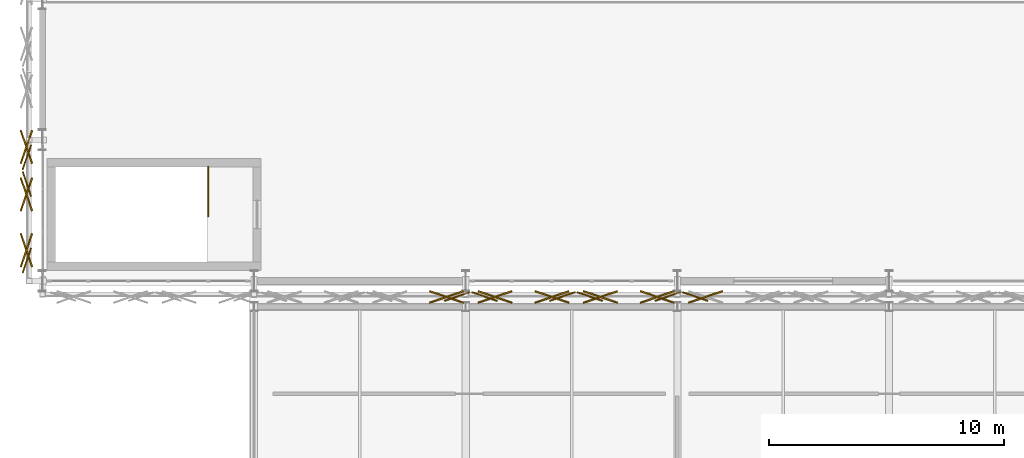
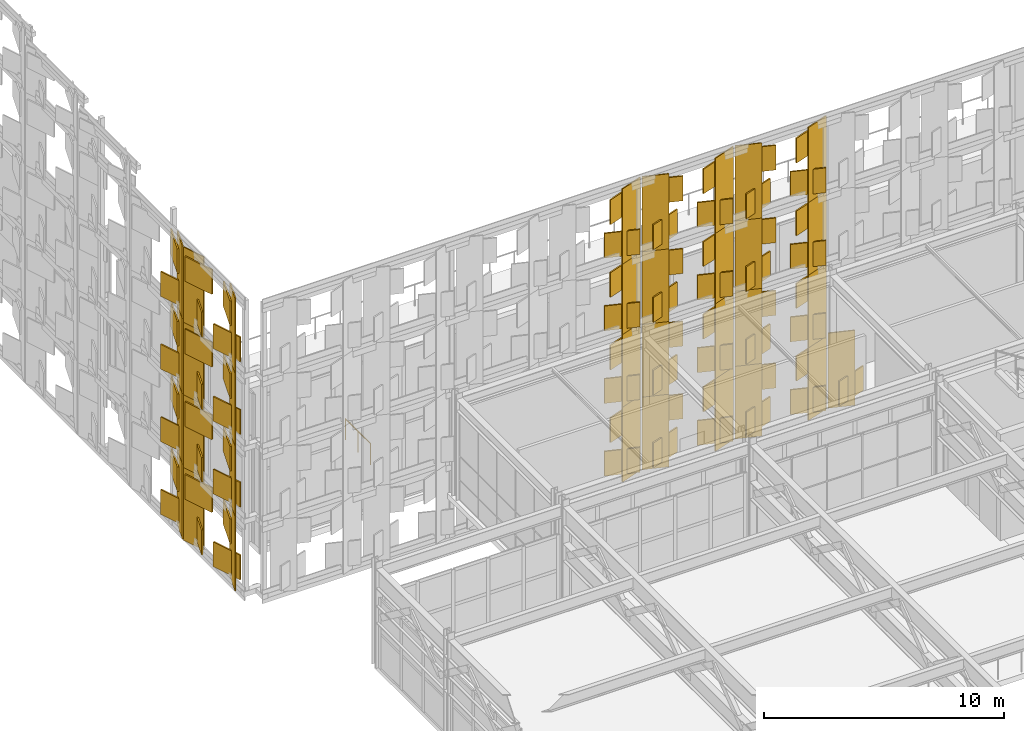
# One storey, part 178 of 210: 98 coverings, 1 railing.
"""IFC4 building model written with IfcOpenShell, lengths in metres."""

from ifc_helpers import new_model, si_unit, direction, frame, origin, origin_2d, place, context, subcontext, project, spatial, rectangle, circle, extrude, material, layer, layer_set, type_object, element, save


model = new_model("IFC4")

# Units and contexts
model_context = context("Model", 3, precision=1e-05, world=origin(), true_north=direction((0.0, 1.0)))
body_context = subcontext(model_context, "Body", "Model", "MODEL_VIEW")
ifc_project = project(units=[si_unit("LENGTHUNIT", "METRE"), si_unit("AREAUNIT", "SQUARE_METRE"), si_unit("VOLUMEUNIT", "CUBIC_METRE"), si_unit("PLANEANGLEUNIT", "RADIAN"), si_unit("MASSUNIT", "GRAM", prefix="KILO")], contexts=[model_context])

# Site, building, storey
site_placement = place(None, origin())
site = spatial("IfcSite", under=ifc_project, at=site_placement, CompositionType="ELEMENT")
building_placement = place(site_placement, origin())
building = spatial("IfcBuilding", under=site, at=building_placement, Name="Kaldris Quays Convention Centre", CompositionType="ELEMENT")
storey_placement = place(building_placement, frame((0.0, 0.0, 6.0)))
storey = spatial("IfcBuildingStorey", under=building, at=storey_placement, Name="L01", CompositionType="ELEMENT", Elevation=6.0)

# Railing
ifc_material_1 = material(Name="Steel S355J2", Category="steel")
railing_type = type_object("IfcRailingType", Name="INTERIOR GUARDRAIL GR01", PredefinedType="GUARDRAIL", material=ifc_material_1)
railing_placement = place(storey_placement, frame((27.050048828125, 60.85009765625, 0.0)))
element("IfcRailing", 1, at=railing_placement, inside=storey, type_object=railing_type, Name="L01 ST01 Top Well Guardrail 1", PredefinedType="GUARDRAIL", context=body_context, shape_type="SweptSolid", body=[
    extrude(circle(Radius=0.02392578125, at=origin_2d()), frame((0.0, 0.0, 1.076171875), z_axis=(0.0, -1.0, 0.0), x_axis=(1.0, 0.0, 0.0)), (0.0, 0.0, 1.0), 2.10009765625),
    extrude(circle(Radius=0.02099609375, at=origin_2d()), origin(), (0.0, 0.0, 1.0), 1.052001953125),
    extrude(circle(Radius=0.02099609375, at=origin_2d()), frame((0.0, -1.050048828125, 0.0)), (0.0, 0.0, 1.0), 1.052001953125),
    extrude(circle(Radius=0.02099609375, at=origin_2d()), frame((0.0, -2.10009765625, 0.0)), (0.0, 0.0, 1.0), 1.052001953125),
])

# Coverings
ifc_material_2 = material(Name="Alabaster white star-pierced anodized aluminium panel", Category="aluminium")
ifc_layer = layer(ifc_material_2, 0.044921875)
ifc_layer_set = layer_set([ifc_layer], Name="Alabaster white star-pierced anodized aluminium panel")
covering_type = type_object("IfcCoveringType", Name="STAR PIERCED WHITE FOLDED SCREEN CL01", PredefinedType="CLADDING", material=ifc_layer_set)
for number, where, z_axis, x_axis, name in (
    (2, (19.340087890625, 56.87060546875, -2.2099609375), (0.0, 0.0, 1.0), (0.325568154457, 0.945518575599, 0.0), "V1W Folded White Screen Stile 6"),
    (3, (19.340087890625, 60.118896484375, -2.2099609375), (0.0, 0.0, 1.0), (-0.325568154457, 0.945518575599, 0.0), "V1W Folded White Screen Stile 7"),
):
    element("IfcCovering", number, at=place(storey_placement, frame(where, z_axis=z_axis, x_axis=x_axis)), inside=storey, type_object=covering_type, Name=name, PredefinedType="CLADDING", context=body_context, shape_type="SweptSolid", body=[
        extrude(rectangle(XDim=1.114013671875, YDim=0.054931640625, at=origin_2d()), origin(), (0.0, 0.0, 1.0), 3.820068359375),
    ])
for number, where, z_axis, x_axis, name in (
    (4, (19.320068359375, 57.3095703125, -1.92822265625), (0.0, 0.0, 1.0), (-0.325568154457, 0.945518575599, 0.0), "V1W Carved Star Corner Facet 8"),
    (5, (19.320068359375, 57.3095703125, 0.06982421875), (0.0, 0.0, 1.0), (0.325568154457, 0.945518575599, 0.0), "V1W Carved Star Corner Facet 9"),
    (6, (19.320068359375, 59.679931640625, -1.92822265625), (0.0, 0.0, 1.0), (0.325568154457, 0.945518575599, 0.0), "V1W Carved Star Corner Facet 10"),
    (7, (19.320068359375, 59.679931640625, 0.06982421875), (0.0, 0.0, 1.0), (-0.325568154457, 0.945518575599, 0.0), "V1W Carved Star Corner Facet 11"),
):
    element("IfcCovering", number, at=place(storey_placement, frame(where, z_axis=z_axis, x_axis=x_axis)), inside=storey, type_object=covering_type, Name=name, PredefinedType="CLADDING", context=body_context, shape_type="SweptSolid", body=[
        extrude(rectangle(XDim=1.491943359375, YDim=0.06494140625, at=origin_2d()), origin(), (0.0, 0.0, 1.0), 1.258056640625),
    ])
for number, where, z_axis, x_axis, name in (
    (8, (19.340087890625, 56.87060546875, 1.48974609375), (0.0, 0.0, 1.0), (0.325568154457, 0.945518575599, 0.0), "V1W Folded White Screen Stile 12"),
    (9, (19.340087890625, 60.118896484375, 1.48974609375), (0.0, 0.0, 1.0), (-0.325568154457, 0.945518575599, 0.0), "V1W Folded White Screen Stile 13"),
):
    element("IfcCovering", number, at=place(storey_placement, frame(where, z_axis=z_axis, x_axis=x_axis)), inside=storey, type_object=covering_type, Name=name, PredefinedType="CLADDING", context=body_context, shape_type="SweptSolid", body=[
        extrude(rectangle(XDim=1.114013671875, YDim=0.054931640625, at=origin_2d()), origin(), (0.0, 0.0, 1.0), 3.820068359375),
    ])
for number, where, z_axis, x_axis, name in (
    (10, (19.320068359375, 57.3095703125, 1.77197265625), (0.0, 0.0, 1.0), (-0.325568154457, 0.945518575599, 0.0), "V1W Carved Star Corner Facet 14"),
    (11, (19.320068359375, 57.3095703125, 3.77001953125), (0.0, 0.0, 1.0), (0.325568154457, 0.945518575599, 0.0), "V1W Carved Star Corner Facet 15"),
    (12, (19.320068359375, 59.679931640625, 1.77197265625), (0.0, 0.0, 1.0), (0.325568154457, 0.945518575599, 0.0), "V1W Carved Star Corner Facet 16"),
    (13, (19.320068359375, 59.679931640625, 3.77001953125), (0.0, 0.0, 1.0), (-0.325568154457, 0.945518575599, 0.0), "V1W Carved Star Corner Facet 17"),
):
    element("IfcCovering", number, at=place(storey_placement, frame(where, z_axis=z_axis, x_axis=x_axis)), inside=storey, type_object=covering_type, Name=name, PredefinedType="CLADDING", context=body_context, shape_type="SweptSolid", body=[
        extrude(rectangle(XDim=1.491943359375, YDim=0.06494140625, at=origin_2d()), origin(), (0.0, 0.0, 1.0), 1.258056640625),
    ])
for number, where, z_axis, x_axis, name in (
    (14, (19.340087890625, 56.87060546875, 5.18994140625), (0.0, 0.0, 1.0), (0.325568154457, 0.945518575599, 0.0), "V1W Folded White Screen Stile 18"),
    (15, (19.340087890625, 60.118896484375, 5.18994140625), (0.0, 0.0, 1.0), (-0.325568154457, 0.945518575599, 0.0), "V1W Folded White Screen Stile 19"),
):
    element("IfcCovering", number, at=place(storey_placement, frame(where, z_axis=z_axis, x_axis=x_axis)), inside=storey, type_object=covering_type, Name=name, PredefinedType="CLADDING", context=body_context, shape_type="SweptSolid", body=[
        extrude(rectangle(XDim=1.114013671875, YDim=0.054931640625, at=origin_2d()), origin(), (0.0, 0.0, 1.0), 3.820068359375),
    ])
for number, where, z_axis, x_axis, name in (
    (16, (19.320068359375, 57.3095703125, 5.47216796875), (0.0, 0.0, 1.0), (-0.325568154457, 0.945518575599, 0.0), "V1W Carved Star Corner Facet 20"),
    (17, (19.320068359375, 57.3095703125, 7.47021484375), (0.0, 0.0, 1.0), (0.325568154457, 0.945518575599, 0.0), "V1W Carved Star Corner Facet 21"),
    (18, (19.320068359375, 59.679931640625, 5.47216796875), (0.0, 0.0, 1.0), (0.325568154457, 0.945518575599, 0.0), "V1W Carved Star Corner Facet 22"),
    (19, (19.320068359375, 59.679931640625, 7.47021484375), (0.0, 0.0, 1.0), (-0.325568154457, 0.945518575599, 0.0), "V1W Carved Star Corner Facet 23"),
):
    element("IfcCovering", number, at=place(storey_placement, frame(where, z_axis=z_axis, x_axis=x_axis)), inside=storey, type_object=covering_type, Name=name, PredefinedType="CLADDING", context=body_context, shape_type="SweptSolid", body=[
        extrude(rectangle(XDim=1.491943359375, YDim=0.06494140625, at=origin_2d()), origin(), (0.0, 0.0, 1.0), 1.258056640625),
    ])
for number, where, z_axis, x_axis, name in (
    (20, (19.340087890625, 56.87060546875, 8.89013671875), (0.0, 0.0, 1.0), (0.325568154457, 0.945518575599, 0.0), "V1W Folded White Screen Stile 24"),
    (21, (19.340087890625, 60.118896484375, 8.89013671875), (0.0, 0.0, 1.0), (-0.325568154457, 0.945518575599, 0.0), "V1W Folded White Screen Stile 25"),
):
    element("IfcCovering", number, at=place(storey_placement, frame(where, z_axis=z_axis, x_axis=x_axis)), inside=storey, type_object=covering_type, Name=name, PredefinedType="CLADDING", context=body_context, shape_type="SweptSolid", body=[
        extrude(rectangle(XDim=1.114013671875, YDim=0.054931640625, at=origin_2d()), origin(), (0.0, 0.0, 1.0), 3.820068359375),
    ])
for number, where, z_axis, x_axis, name in (
    (22, (19.320068359375, 57.3095703125, 9.171875), (0.0, 0.0, 1.0), (-0.325568154457, 0.945518575599, 0.0), "V1W Carved Star Corner Facet 26"),
    (23, (19.320068359375, 57.3095703125, 11.169921875), (0.0, 0.0, 1.0), (0.325568154457, 0.945518575599, 0.0), "V1W Carved Star Corner Facet 27"),
    (24, (19.320068359375, 59.679931640625, 9.171875), (0.0, 0.0, 1.0), (0.325568154457, 0.945518575599, 0.0), "V1W Carved Star Corner Facet 28"),
    (25, (19.320068359375, 59.679931640625, 11.169921875), (0.0, 0.0, 1.0), (-0.325568154457, 0.945518575599, 0.0), "V1W Carved Star Corner Facet 29"),
):
    element("IfcCovering", number, at=place(storey_placement, frame(where, z_axis=z_axis, x_axis=x_axis)), inside=storey, type_object=covering_type, Name=name, PredefinedType="CLADDING", context=body_context, shape_type="SweptSolid", body=[
        extrude(rectangle(XDim=1.491943359375, YDim=0.06494140625, at=origin_2d()), origin(), (0.0, 0.0, 1.0), 1.258056640625),
    ])
covering_1_placement = place(storey_placement, frame((19.340087890625, 61.260009765625, -2.2099609375), z_axis=(0.0, 0.0, 1.0), x_axis=(0.325568154457, 0.945518575599, 0.0)))
element("IfcCovering", 26, at=covering_1_placement, inside=storey, type_object=covering_type, Name="V1W Folded White Screen Stile 30", PredefinedType="CLADDING", context=body_context, shape_type="SweptSolid", body=[
    extrude(rectangle(XDim=1.114013671875, YDim=0.054931640625, at=origin_2d()), origin(), (0.0, 0.0, 1.0), 3.820068359375),
])
for number, where, z_axis, x_axis, name in (
    (27, (19.320068359375, 61.69921875, -1.92822265625), (0.0, 0.0, 1.0), (-0.325568154457, 0.945518575599, 0.0), "V1W Carved Star Corner Facet 32"),
    (28, (19.320068359375, 61.69921875, 0.06982421875), (0.0, 0.0, 1.0), (0.325568154457, 0.945518575599, 0.0), "V1W Carved Star Corner Facet 33"),
):
    element("IfcCovering", number, at=place(storey_placement, frame(where, z_axis=z_axis, x_axis=x_axis)), inside=storey, type_object=covering_type, Name=name, PredefinedType="CLADDING", context=body_context, shape_type="SweptSolid", body=[
        extrude(rectangle(XDim=1.491943359375, YDim=0.06494140625, at=origin_2d()), origin(), (0.0, 0.0, 1.0), 1.258056640625),
    ])
covering_2_placement = place(storey_placement, frame((19.340087890625, 61.260009765625, 1.48974609375), z_axis=(0.0, 0.0, 1.0), x_axis=(0.325568154457, 0.945518575599, 0.0)))
element("IfcCovering", 29, at=covering_2_placement, inside=storey, type_object=covering_type, Name="V1W Folded White Screen Stile 36", PredefinedType="CLADDING", context=body_context, shape_type="SweptSolid", body=[
    extrude(rectangle(XDim=1.114013671875, YDim=0.054931640625, at=origin_2d()), origin(), (0.0, 0.0, 1.0), 3.820068359375),
])
for number, where, z_axis, x_axis, name in (
    (30, (19.320068359375, 61.69921875, 1.77197265625), (0.0, 0.0, 1.0), (-0.325568154457, 0.945518575599, 0.0), "V1W Carved Star Corner Facet 38"),
    (31, (19.320068359375, 61.69921875, 3.77001953125), (0.0, 0.0, 1.0), (0.325568154457, 0.945518575599, 0.0), "V1W Carved Star Corner Facet 39"),
):
    element("IfcCovering", number, at=place(storey_placement, frame(where, z_axis=z_axis, x_axis=x_axis)), inside=storey, type_object=covering_type, Name=name, PredefinedType="CLADDING", context=body_context, shape_type="SweptSolid", body=[
        extrude(rectangle(XDim=1.491943359375, YDim=0.06494140625, at=origin_2d()), origin(), (0.0, 0.0, 1.0), 1.258056640625),
    ])
covering_3_placement = place(storey_placement, frame((19.340087890625, 61.260009765625, 5.18994140625), z_axis=(0.0, 0.0, 1.0), x_axis=(0.325568154457, 0.945518575599, 0.0)))
element("IfcCovering", 32, at=covering_3_placement, inside=storey, type_object=covering_type, Name="V1W Folded White Screen Stile 42", PredefinedType="CLADDING", context=body_context, shape_type="SweptSolid", body=[
    extrude(rectangle(XDim=1.114013671875, YDim=0.054931640625, at=origin_2d()), origin(), (0.0, 0.0, 1.0), 3.820068359375),
])
for number, where, z_axis, x_axis, name in (
    (33, (19.320068359375, 61.69921875, 5.47216796875), (0.0, 0.0, 1.0), (-0.325568154457, 0.945518575599, 0.0), "V1W Carved Star Corner Facet 44"),
    (34, (19.320068359375, 61.69921875, 7.47021484375), (0.0, 0.0, 1.0), (0.325568154457, 0.945518575599, 0.0), "V1W Carved Star Corner Facet 45"),
):
    element("IfcCovering", number, at=place(storey_placement, frame(where, z_axis=z_axis, x_axis=x_axis)), inside=storey, type_object=covering_type, Name=name, PredefinedType="CLADDING", context=body_context, shape_type="SweptSolid", body=[
        extrude(rectangle(XDim=1.491943359375, YDim=0.06494140625, at=origin_2d()), origin(), (0.0, 0.0, 1.0), 1.258056640625),
    ])
covering_4_placement = place(storey_placement, frame((19.340087890625, 61.260009765625, 8.89013671875), z_axis=(0.0, 0.0, 1.0), x_axis=(0.325568154457, 0.945518575599, 0.0)))
element("IfcCovering", 35, at=covering_4_placement, inside=storey, type_object=covering_type, Name="V1W Folded White Screen Stile 48", PredefinedType="CLADDING", context=body_context, shape_type="SweptSolid", body=[
    extrude(rectangle(XDim=1.114013671875, YDim=0.054931640625, at=origin_2d()), origin(), (0.0, 0.0, 1.0), 3.820068359375),
])
for number, where, z_axis, x_axis, name in (
    (36, (19.320068359375, 61.69921875, 9.171875), (0.0, 0.0, 1.0), (-0.325568154457, 0.945518575599, 0.0), "V1W Carved Star Corner Facet 50"),
    (37, (19.320068359375, 61.69921875, 11.169921875), (0.0, 0.0, 1.0), (0.325568154457, 0.945518575599, 0.0), "V1W Carved Star Corner Facet 51"),
):
    element("IfcCovering", number, at=place(storey_placement, frame(where, z_axis=z_axis, x_axis=x_axis)), inside=storey, type_object=covering_type, Name=name, PredefinedType="CLADDING", context=body_context, shape_type="SweptSolid", body=[
        extrude(rectangle(XDim=1.491943359375, YDim=0.06494140625, at=origin_2d()), origin(), (0.0, 0.0, 1.0), 1.258056640625),
    ])
covering_5_placement = place(storey_placement, frame((37.632080078125, 55.340087890625, -2.2099609375), z_axis=(0.0, 0.0, 1.0), x_axis=(0.945518575599, 0.325568154457, 0.0)))
element("IfcCovering", 38, at=covering_5_placement, inside=storey, type_object=covering_type, Name="V1S Folded White Screen Stile 1153", PredefinedType="CLADDING", context=body_context, shape_type="SweptSolid", body=[
    extrude(rectangle(XDim=1.136962890625, YDim=0.054931640625, at=origin_2d()), origin(), (0.0, 0.0, 1.0), 3.820068359375),
])
for number, where, z_axis, x_axis, name in (
    (39, (37.18408203125, 55.320068359375, -1.92822265625), (0.0, 0.0, 1.0), (0.945518575599, -0.325568154457, 0.0), "V1S Carved Star Corner Facet 1156"),
    (40, (37.18408203125, 55.320068359375, 0.06982421875), (0.0, 0.0, 1.0), (0.945518575599, 0.325568154457, 0.0), "V1S Carved Star Corner Facet 1157"),
):
    element("IfcCovering", number, at=place(storey_placement, frame(where, z_axis=z_axis, x_axis=x_axis)), inside=storey, type_object=covering_type, Name=name, PredefinedType="CLADDING", context=body_context, shape_type="SweptSolid", body=[
        extrude(rectangle(XDim=1.52294921875, YDim=0.06494140625, at=origin_2d()), origin(), (0.0, 0.0, 1.0), 1.258056640625),
    ])
covering_6_placement = place(storey_placement, frame((37.632080078125, 55.340087890625, 1.48974609375), z_axis=(0.0, 0.0, 1.0), x_axis=(0.945518575599, 0.325568154457, 0.0)))
element("IfcCovering", 41, at=covering_6_placement, inside=storey, type_object=covering_type, Name="V1S Folded White Screen Stile 1159", PredefinedType="CLADDING", context=body_context, shape_type="SweptSolid", body=[
    extrude(rectangle(XDim=1.136962890625, YDim=0.054931640625, at=origin_2d()), origin(), (0.0, 0.0, 1.0), 3.820068359375),
])
for number, where, z_axis, x_axis, name in (
    (42, (37.18408203125, 55.320068359375, 1.77197265625), (0.0, 0.0, 1.0), (0.945518575599, -0.325568154457, 0.0), "V1S Carved Star Corner Facet 1162"),
    (43, (37.18408203125, 55.320068359375, 3.77001953125), (0.0, 0.0, 1.0), (0.945518575599, 0.325568154457, 0.0), "V1S Carved Star Corner Facet 1163"),
):
    element("IfcCovering", number, at=place(storey_placement, frame(where, z_axis=z_axis, x_axis=x_axis)), inside=storey, type_object=covering_type, Name=name, PredefinedType="CLADDING", context=body_context, shape_type="SweptSolid", body=[
        extrude(rectangle(XDim=1.52294921875, YDim=0.06494140625, at=origin_2d()), origin(), (0.0, 0.0, 1.0), 1.258056640625),
    ])
covering_7_placement = place(storey_placement, frame((37.632080078125, 55.340087890625, 5.18994140625), z_axis=(0.0, 0.0, 1.0), x_axis=(0.945518575599, 0.325568154457, 0.0)))
element("IfcCovering", 44, at=covering_7_placement, inside=storey, type_object=covering_type, Name="V1S Folded White Screen Stile 1165", PredefinedType="CLADDING", context=body_context, shape_type="SweptSolid", body=[
    extrude(rectangle(XDim=1.136962890625, YDim=0.054931640625, at=origin_2d()), origin(), (0.0, 0.0, 1.0), 3.820068359375),
])
for number, where, z_axis, x_axis, name in (
    (45, (37.18408203125, 55.320068359375, 5.47216796875), (0.0, 0.0, 1.0), (0.945518575599, -0.325568154457, 0.0), "V1S Carved Star Corner Facet 1168"),
    (46, (37.18408203125, 55.320068359375, 7.47021484375), (0.0, 0.0, 1.0), (0.945518575599, 0.325568154457, 0.0), "V1S Carved Star Corner Facet 1169"),
):
    element("IfcCovering", number, at=place(storey_placement, frame(where, z_axis=z_axis, x_axis=x_axis)), inside=storey, type_object=covering_type, Name=name, PredefinedType="CLADDING", context=body_context, shape_type="SweptSolid", body=[
        extrude(rectangle(XDim=1.52294921875, YDim=0.06494140625, at=origin_2d()), origin(), (0.0, 0.0, 1.0), 1.258056640625),
    ])
covering_8_placement = place(storey_placement, frame((37.632080078125, 55.340087890625, 8.89013671875), z_axis=(0.0, 0.0, 1.0), x_axis=(0.945518575599, 0.325568154457, 0.0)))
element("IfcCovering", 47, at=covering_8_placement, inside=storey, type_object=covering_type, Name="V1S Folded White Screen Stile 1171", PredefinedType="CLADDING", context=body_context, shape_type="SweptSolid", body=[
    extrude(rectangle(XDim=1.136962890625, YDim=0.054931640625, at=origin_2d()), origin(), (0.0, 0.0, 1.0), 3.820068359375),
])
for number, where, z_axis, x_axis, name in (
    (48, (37.18408203125, 55.320068359375, 9.171875), (0.0, 0.0, 1.0), (0.945518575599, -0.325568154457, 0.0), "V1S Carved Star Corner Facet 1174"),
    (49, (37.18408203125, 55.320068359375, 11.169921875), (0.0, 0.0, 1.0), (0.945518575599, 0.325568154457, 0.0), "V1S Carved Star Corner Facet 1175"),
):
    element("IfcCovering", number, at=place(storey_placement, frame(where, z_axis=z_axis, x_axis=x_axis)), inside=storey, type_object=covering_type, Name=name, PredefinedType="CLADDING", context=body_context, shape_type="SweptSolid", body=[
        extrude(rectangle(XDim=1.52294921875, YDim=0.06494140625, at=origin_2d()), origin(), (0.0, 0.0, 1.0), 1.258056640625),
    ])
for number, where, z_axis, x_axis, name in (
    (50, (38.79638671875, 55.340087890625, -2.2099609375), (0.0, 0.0, 1.0), (0.945518575599, -0.325568154457, 0.0), "V1S Folded White Screen Stile 1176"),
    (51, (42.110595703125, 55.340087890625, -2.2099609375), (0.0, 0.0, 1.0), (0.945518575599, 0.325568154457, 0.0), "V1S Folded White Screen Stile 1177"),
):
    element("IfcCovering", number, at=place(storey_placement, frame(where, z_axis=z_axis, x_axis=x_axis)), inside=storey, type_object=covering_type, Name=name, PredefinedType="CLADDING", context=body_context, shape_type="SweptSolid", body=[
        extrude(rectangle(XDim=1.136962890625, YDim=0.054931640625, at=origin_2d()), origin(), (0.0, 0.0, 1.0), 3.820068359375),
    ])
for number, where, z_axis, x_axis, name in (
    (52, (39.244384765625, 55.320068359375, -1.92822265625), (0.0, 0.0, 1.0), (0.945518575599, 0.325568154457, 0.0), "V1S Carved Star Corner Facet 1178"),
    (53, (39.244384765625, 55.320068359375, 0.06982421875), (0.0, 0.0, 1.0), (0.945518575599, -0.325568154457, 0.0), "V1S Carved Star Corner Facet 1179"),
    (54, (41.662841796875, 55.320068359375, -1.92822265625), (0.0, 0.0, 1.0), (0.945518575599, -0.325568154457, 0.0), "V1S Carved Star Corner Facet 1180"),
    (55, (41.662841796875, 55.320068359375, 0.06982421875), (0.0, 0.0, 1.0), (0.945518575599, 0.325568154457, 0.0), "V1S Carved Star Corner Facet 1181"),
):
    element("IfcCovering", number, at=place(storey_placement, frame(where, z_axis=z_axis, x_axis=x_axis)), inside=storey, type_object=covering_type, Name=name, PredefinedType="CLADDING", context=body_context, shape_type="SweptSolid", body=[
        extrude(rectangle(XDim=1.52294921875, YDim=0.06494140625, at=origin_2d()), origin(), (0.0, 0.0, 1.0), 1.258056640625),
    ])
for number, where, z_axis, x_axis, name in (
    (56, (38.79638671875, 55.340087890625, 1.48974609375), (0.0, 0.0, 1.0), (0.945518575599, -0.325568154457, 0.0), "V1S Folded White Screen Stile 1182"),
    (57, (42.110595703125, 55.340087890625, 1.48974609375), (0.0, 0.0, 1.0), (0.945518575599, 0.325568154457, 0.0), "V1S Folded White Screen Stile 1183"),
):
    element("IfcCovering", number, at=place(storey_placement, frame(where, z_axis=z_axis, x_axis=x_axis)), inside=storey, type_object=covering_type, Name=name, PredefinedType="CLADDING", context=body_context, shape_type="SweptSolid", body=[
        extrude(rectangle(XDim=1.136962890625, YDim=0.054931640625, at=origin_2d()), origin(), (0.0, 0.0, 1.0), 3.820068359375),
    ])
for number, where, z_axis, x_axis, name in (
    (58, (39.244384765625, 55.320068359375, 1.77197265625), (0.0, 0.0, 1.0), (0.945518575599, 0.325568154457, 0.0), "V1S Carved Star Corner Facet 1184"),
    (59, (39.244384765625, 55.320068359375, 3.77001953125), (0.0, 0.0, 1.0), (0.945518575599, -0.325568154457, 0.0), "V1S Carved Star Corner Facet 1185"),
    (60, (41.662841796875, 55.320068359375, 1.77197265625), (0.0, 0.0, 1.0), (0.945518575599, -0.325568154457, 0.0), "V1S Carved Star Corner Facet 1186"),
    (61, (41.662841796875, 55.320068359375, 3.77001953125), (0.0, 0.0, 1.0), (0.945518575599, 0.325568154457, 0.0), "V1S Carved Star Corner Facet 1187"),
):
    element("IfcCovering", number, at=place(storey_placement, frame(where, z_axis=z_axis, x_axis=x_axis)), inside=storey, type_object=covering_type, Name=name, PredefinedType="CLADDING", context=body_context, shape_type="SweptSolid", body=[
        extrude(rectangle(XDim=1.52294921875, YDim=0.06494140625, at=origin_2d()), origin(), (0.0, 0.0, 1.0), 1.258056640625),
    ])
for number, where, z_axis, x_axis, name in (
    (62, (38.79638671875, 55.340087890625, 5.18994140625), (0.0, 0.0, 1.0), (0.945518575599, -0.325568154457, 0.0), "V1S Folded White Screen Stile 1188"),
    (63, (42.110595703125, 55.340087890625, 5.18994140625), (0.0, 0.0, 1.0), (0.945518575599, 0.325568154457, 0.0), "V1S Folded White Screen Stile 1189"),
):
    element("IfcCovering", number, at=place(storey_placement, frame(where, z_axis=z_axis, x_axis=x_axis)), inside=storey, type_object=covering_type, Name=name, PredefinedType="CLADDING", context=body_context, shape_type="SweptSolid", body=[
        extrude(rectangle(XDim=1.136962890625, YDim=0.054931640625, at=origin_2d()), origin(), (0.0, 0.0, 1.0), 3.820068359375),
    ])
for number, where, z_axis, x_axis, name in (
    (64, (39.244384765625, 55.320068359375, 5.47216796875), (0.0, 0.0, 1.0), (0.945518575599, 0.325568154457, 0.0), "V1S Carved Star Corner Facet 1190"),
    (65, (39.244384765625, 55.320068359375, 7.47021484375), (0.0, 0.0, 1.0), (0.945518575599, -0.325568154457, 0.0), "V1S Carved Star Corner Facet 1191"),
    (66, (41.662841796875, 55.320068359375, 5.47216796875), (0.0, 0.0, 1.0), (0.945518575599, -0.325568154457, 0.0), "V1S Carved Star Corner Facet 1192"),
    (67, (41.662841796875, 55.320068359375, 7.47021484375), (0.0, 0.0, 1.0), (0.945518575599, 0.325568154457, 0.0), "V1S Carved Star Corner Facet 1193"),
):
    element("IfcCovering", number, at=place(storey_placement, frame(where, z_axis=z_axis, x_axis=x_axis)), inside=storey, type_object=covering_type, Name=name, PredefinedType="CLADDING", context=body_context, shape_type="SweptSolid", body=[
        extrude(rectangle(XDim=1.52294921875, YDim=0.06494140625, at=origin_2d()), origin(), (0.0, 0.0, 1.0), 1.258056640625),
    ])
for number, where, z_axis, x_axis, name in (
    (68, (38.79638671875, 55.340087890625, 8.89013671875), (0.0, 0.0, 1.0), (0.945518575599, -0.325568154457, 0.0), "V1S Folded White Screen Stile 1194"),
    (69, (42.110595703125, 55.340087890625, 8.89013671875), (0.0, 0.0, 1.0), (0.945518575599, 0.325568154457, 0.0), "V1S Folded White Screen Stile 1195"),
):
    element("IfcCovering", number, at=place(storey_placement, frame(where, z_axis=z_axis, x_axis=x_axis)), inside=storey, type_object=covering_type, Name=name, PredefinedType="CLADDING", context=body_context, shape_type="SweptSolid", body=[
        extrude(rectangle(XDim=1.136962890625, YDim=0.054931640625, at=origin_2d()), origin(), (0.0, 0.0, 1.0), 3.820068359375),
    ])
for number, where, z_axis, x_axis, name in (
    (70, (39.244384765625, 55.320068359375, 9.171875), (0.0, 0.0, 1.0), (0.945518575599, 0.325568154457, 0.0), "V1S Carved Star Corner Facet 1196"),
    (71, (39.244384765625, 55.320068359375, 11.169921875), (0.0, 0.0, 1.0), (0.945518575599, -0.325568154457, 0.0), "V1S Carved Star Corner Facet 1197"),
    (72, (41.662841796875, 55.320068359375, 9.171875), (0.0, 0.0, 1.0), (0.945518575599, -0.325568154457, 0.0), "V1S Carved Star Corner Facet 1198"),
    (73, (41.662841796875, 55.320068359375, 11.169921875), (0.0, 0.0, 1.0), (0.945518575599, 0.325568154457, 0.0), "V1S Carved Star Corner Facet 1199"),
):
    element("IfcCovering", number, at=place(storey_placement, frame(where, z_axis=z_axis, x_axis=x_axis)), inside=storey, type_object=covering_type, Name=name, PredefinedType="CLADDING", context=body_context, shape_type="SweptSolid", body=[
        extrude(rectangle(XDim=1.52294921875, YDim=0.06494140625, at=origin_2d()), origin(), (0.0, 0.0, 1.0), 1.258056640625),
    ])
for number, where, z_axis, x_axis, name in (
    (74, (43.275146484375, 55.340087890625, -2.2099609375), (0.0, 0.0, 1.0), (0.945518575599, -0.325568154457, 0.0), "V1S Folded White Screen Stile 1200"),
    (75, (46.589111328125, 55.340087890625, -2.2099609375), (0.0, 0.0, 1.0), (0.945518575599, 0.325568154457, 0.0), "V1S Folded White Screen Stile 1201"),
):
    element("IfcCovering", number, at=place(storey_placement, frame(where, z_axis=z_axis, x_axis=x_axis)), inside=storey, type_object=covering_type, Name=name, PredefinedType="CLADDING", context=body_context, shape_type="SweptSolid", body=[
        extrude(rectangle(XDim=1.136962890625, YDim=0.054931640625, at=origin_2d()), origin(), (0.0, 0.0, 1.0), 3.820068359375),
    ])
for number, where, z_axis, x_axis, name in (
    (76, (43.722900390625, 55.320068359375, -1.92822265625), (0.0, 0.0, 1.0), (0.945518575599, 0.325568154457, 0.0), "V1S Carved Star Corner Facet 1202"),
    (77, (43.722900390625, 55.320068359375, 0.06982421875), (0.0, 0.0, 1.0), (0.945518575599, -0.325568154457, 0.0), "V1S Carved Star Corner Facet 1203"),
    (78, (46.141357421875, 55.320068359375, -1.92822265625), (0.0, 0.0, 1.0), (0.945518575599, -0.325568154457, 0.0), "V1S Carved Star Corner Facet 1204"),
    (79, (46.141357421875, 55.320068359375, 0.06982421875), (0.0, 0.0, 1.0), (0.945518575599, 0.325568154457, 0.0), "V1S Carved Star Corner Facet 1205"),
):
    element("IfcCovering", number, at=place(storey_placement, frame(where, z_axis=z_axis, x_axis=x_axis)), inside=storey, type_object=covering_type, Name=name, PredefinedType="CLADDING", context=body_context, shape_type="SweptSolid", body=[
        extrude(rectangle(XDim=1.52294921875, YDim=0.06494140625, at=origin_2d()), origin(), (0.0, 0.0, 1.0), 1.258056640625),
    ])
for number, where, z_axis, x_axis, name in (
    (80, (43.275146484375, 55.340087890625, 1.48974609375), (0.0, 0.0, 1.0), (0.945518575599, -0.325568154457, 0.0), "V1S Folded White Screen Stile 1206"),
    (81, (46.589111328125, 55.340087890625, 1.48974609375), (0.0, 0.0, 1.0), (0.945518575599, 0.325568154457, 0.0), "V1S Folded White Screen Stile 1207"),
):
    element("IfcCovering", number, at=place(storey_placement, frame(where, z_axis=z_axis, x_axis=x_axis)), inside=storey, type_object=covering_type, Name=name, PredefinedType="CLADDING", context=body_context, shape_type="SweptSolid", body=[
        extrude(rectangle(XDim=1.136962890625, YDim=0.054931640625, at=origin_2d()), origin(), (0.0, 0.0, 1.0), 3.820068359375),
    ])
for number, where, z_axis, x_axis, name in (
    (82, (43.722900390625, 55.320068359375, 1.77197265625), (0.0, 0.0, 1.0), (0.945518575599, 0.325568154457, 0.0), "V1S Carved Star Corner Facet 1208"),
    (83, (43.722900390625, 55.320068359375, 3.77001953125), (0.0, 0.0, 1.0), (0.945518575599, -0.325568154457, 0.0), "V1S Carved Star Corner Facet 1209"),
    (84, (46.141357421875, 55.320068359375, 1.77197265625), (0.0, 0.0, 1.0), (0.945518575599, -0.325568154457, 0.0), "V1S Carved Star Corner Facet 1210"),
    (85, (46.141357421875, 55.320068359375, 3.77001953125), (0.0, 0.0, 1.0), (0.945518575599, 0.325568154457, 0.0), "V1S Carved Star Corner Facet 1211"),
):
    element("IfcCovering", number, at=place(storey_placement, frame(where, z_axis=z_axis, x_axis=x_axis)), inside=storey, type_object=covering_type, Name=name, PredefinedType="CLADDING", context=body_context, shape_type="SweptSolid", body=[
        extrude(rectangle(XDim=1.52294921875, YDim=0.06494140625, at=origin_2d()), origin(), (0.0, 0.0, 1.0), 1.258056640625),
    ])
for number, where, z_axis, x_axis, name in (
    (86, (43.275146484375, 55.340087890625, 5.18994140625), (0.0, 0.0, 1.0), (0.945518575599, -0.325568154457, 0.0), "V1S Folded White Screen Stile 1212"),
    (87, (46.589111328125, 55.340087890625, 5.18994140625), (0.0, 0.0, 1.0), (0.945518575599, 0.325568154457, 0.0), "V1S Folded White Screen Stile 1213"),
):
    element("IfcCovering", number, at=place(storey_placement, frame(where, z_axis=z_axis, x_axis=x_axis)), inside=storey, type_object=covering_type, Name=name, PredefinedType="CLADDING", context=body_context, shape_type="SweptSolid", body=[
        extrude(rectangle(XDim=1.136962890625, YDim=0.054931640625, at=origin_2d()), origin(), (0.0, 0.0, 1.0), 3.820068359375),
    ])
for number, where, z_axis, x_axis, name in (
    (88, (43.722900390625, 55.320068359375, 5.47216796875), (0.0, 0.0, 1.0), (0.945518575599, 0.325568154457, 0.0), "V1S Carved Star Corner Facet 1214"),
    (89, (43.722900390625, 55.320068359375, 7.47021484375), (0.0, 0.0, 1.0), (0.945518575599, -0.325568154457, 0.0), "V1S Carved Star Corner Facet 1215"),
    (90, (46.141357421875, 55.320068359375, 5.47216796875), (0.0, 0.0, 1.0), (0.945518575599, -0.325568154457, 0.0), "V1S Carved Star Corner Facet 1216"),
    (91, (46.141357421875, 55.320068359375, 7.47021484375), (0.0, 0.0, 1.0), (0.945518575599, 0.325568154457, 0.0), "V1S Carved Star Corner Facet 1217"),
):
    element("IfcCovering", number, at=place(storey_placement, frame(where, z_axis=z_axis, x_axis=x_axis)), inside=storey, type_object=covering_type, Name=name, PredefinedType="CLADDING", context=body_context, shape_type="SweptSolid", body=[
        extrude(rectangle(XDim=1.52294921875, YDim=0.06494140625, at=origin_2d()), origin(), (0.0, 0.0, 1.0), 1.258056640625),
    ])
for number, where, z_axis, x_axis, name in (
    (92, (43.275146484375, 55.340087890625, 8.89013671875), (0.0, 0.0, 1.0), (0.945518575599, -0.325568154457, 0.0), "V1S Folded White Screen Stile 1218"),
    (93, (46.589111328125, 55.340087890625, 8.89013671875), (0.0, 0.0, 1.0), (0.945518575599, 0.325568154457, 0.0), "V1S Folded White Screen Stile 1219"),
):
    element("IfcCovering", number, at=place(storey_placement, frame(where, z_axis=z_axis, x_axis=x_axis)), inside=storey, type_object=covering_type, Name=name, PredefinedType="CLADDING", context=body_context, shape_type="SweptSolid", body=[
        extrude(rectangle(XDim=1.136962890625, YDim=0.054931640625, at=origin_2d()), origin(), (0.0, 0.0, 1.0), 3.820068359375),
    ])
for number, where, z_axis, x_axis, name in (
    (94, (43.722900390625, 55.320068359375, 9.171875), (0.0, 0.0, 1.0), (0.945518575599, 0.325568154457, 0.0), "V1S Carved Star Corner Facet 1220"),
    (95, (43.722900390625, 55.320068359375, 11.169921875), (0.0, 0.0, 1.0), (0.945518575599, -0.325568154457, 0.0), "V1S Carved Star Corner Facet 1221"),
    (96, (46.141357421875, 55.320068359375, 9.171875), (0.0, 0.0, 1.0), (0.945518575599, -0.325568154457, 0.0), "V1S Carved Star Corner Facet 1222"),
    (97, (46.141357421875, 55.320068359375, 11.169921875), (0.0, 0.0, 1.0), (0.945518575599, 0.325568154457, 0.0), "V1S Carved Star Corner Facet 1223"),
):
    element("IfcCovering", number, at=place(storey_placement, frame(where, z_axis=z_axis, x_axis=x_axis)), inside=storey, type_object=covering_type, Name=name, PredefinedType="CLADDING", context=body_context, shape_type="SweptSolid", body=[
        extrude(rectangle(XDim=1.52294921875, YDim=0.06494140625, at=origin_2d()), origin(), (0.0, 0.0, 1.0), 1.258056640625),
    ])
covering_9_placement = place(storey_placement, frame((47.753662109375, 55.340087890625, -2.2099609375), z_axis=(0.0, 0.0, 1.0), x_axis=(0.945518575599, -0.325568154457, 0.0)))
element("IfcCovering", 98, at=covering_9_placement, inside=storey, type_object=covering_type, Name="V1S Folded White Screen Stile 1224", PredefinedType="CLADDING", context=body_context, shape_type="SweptSolid", body=[
    extrude(rectangle(XDim=1.136962890625, YDim=0.054931640625, at=origin_2d()), origin(), (0.0, 0.0, 1.0), 3.820068359375),
])
covering_10_placement = place(storey_placement, frame((48.201416015625, 55.320068359375, -1.92822265625), z_axis=(0.0, 0.0, 1.0), x_axis=(0.945518575599, 0.325568154457, 0.0)))
element("IfcCovering", 99, at=covering_10_placement, inside=storey, type_object=covering_type, Name="V1S Carved Star Corner Facet 1226", PredefinedType="CLADDING", context=body_context, shape_type="SweptSolid", body=[
    extrude(rectangle(XDim=1.52294921875, YDim=0.06494140625, at=origin_2d()), origin(), (0.0, 0.0, 1.0), 1.258056640625),
])

save(model, "model.ifc")
